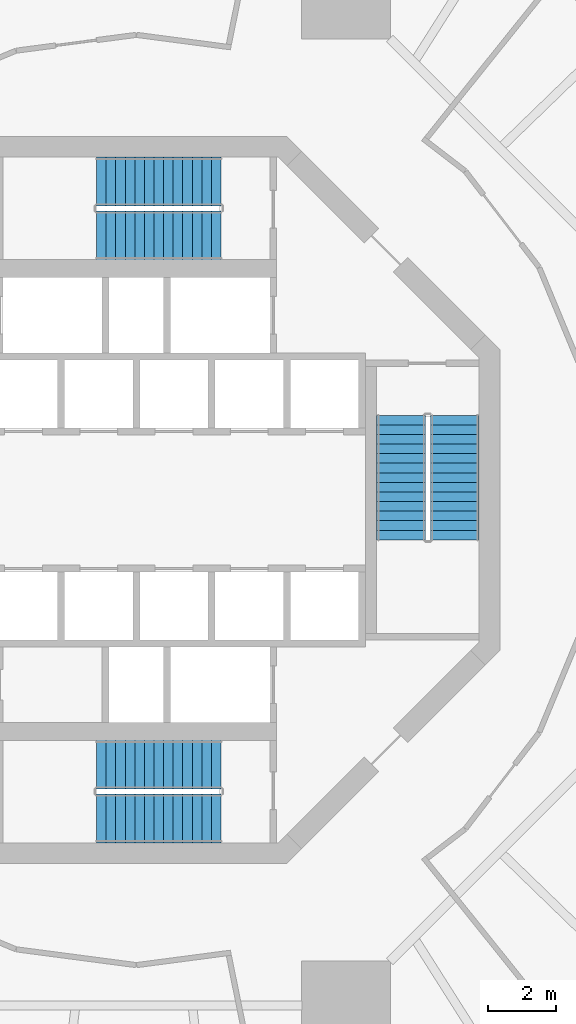
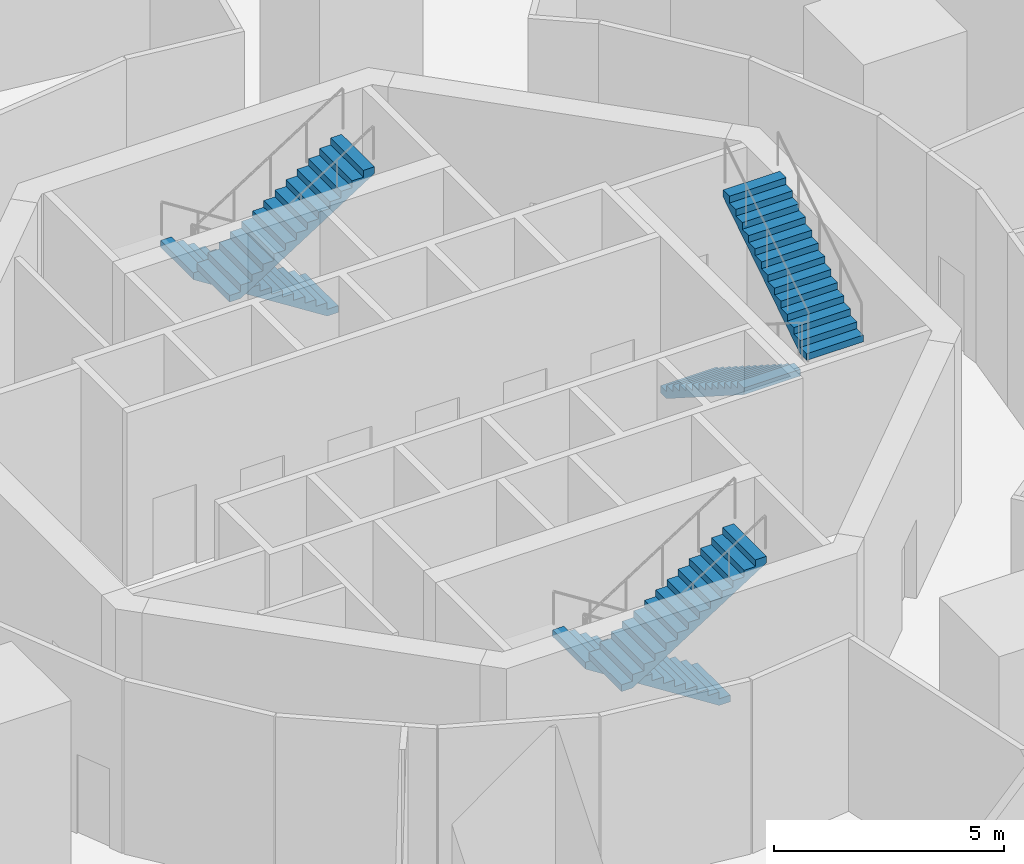
# One storey, part 12 of 14: 6 stair flights, 3 elements without a shape of their own.
"""IFC4 building model written with IfcOpenShell, lengths in metres."""

from ifc_helpers import new_model, si_unit, direction, frame, origin, place, context, subcontext, project, spatial, polyline, outline, extrude, material, type_object, element, aggregate, save


model = new_model("IFC4")

# Units and contexts
model_context = context("Model", 3, precision=1e-05, world=origin(), true_north=direction((0.0, 1.0)))
body_context = subcontext(model_context, "Body", "Model", "MODEL_VIEW")
ifc_project = project(units=[si_unit("LENGTHUNIT", "METRE"), si_unit("AREAUNIT", "SQUARE_METRE"), si_unit("VOLUMEUNIT", "CUBIC_METRE"), si_unit("PLANEANGLEUNIT", "RADIAN"), si_unit("MASSUNIT", "GRAM", prefix="KILO")], contexts=[model_context])

# Site, building, storey
site_placement = place(None, origin())
site = spatial("IfcSite", under=ifc_project, at=site_placement, CompositionType="ELEMENT")
building_placement = place(site_placement, origin())
building = spatial("IfcBuilding", under=site, at=building_placement, Name="Nagisa Residences", CompositionType="ELEMENT")
storey_placement = place(building_placement, frame((0.0, 0.0, -5.0)))
storey = spatial("IfcBuildingStorey", under=building, at=storey_placement, Name="B1", CompositionType="ELEMENT", Elevation=-5.0)

# Stair, stair flights
ifc_material_1 = material(Name="Concrete C60", Category="concrete")
stair_type = type_object("IfcStairType", Name="Exit stair", PredefinedType="HALF_TURN_STAIR", material=ifc_material_1)
stair_1_placement = place(storey_placement, origin())
stair_1 = element("IfcStair", 1, at=stair_1_placement, inside=storey, type_object=stair_type, Name="B1 Exit stair E", PredefinedType="HALF_TURN_STAIR")
ifc_material_2 = material(Name="Concrete C60", Category="concrete")
stair_flight_type = type_object("IfcStairFlightType", Name="Exit stair flight", PredefinedType="STRAIGHT", material=ifc_material_2)
stair_flight_1_placement = place(storey_placement, frame((7.737060546875, 2.47509765625, 0.0), z_axis=(0.0, 0.0, 1.0), x_axis=(0.0, -1.0, 0.0)))
stair_flight_1 = element("IfcStairFlight", 2, at=stair_flight_1_placement, type_object=stair_flight_type, Name="ST-E flight 1", NumberOfRisers=14, NumberOfTreads=13, PredefinedType="STRAIGHT", RiserHeight=0.178571429, TreadLength=0.28, context=body_context, shape_type="SweptSolid", body=[
    extrude(outline(polyline([(0.0, 0.0), (0.0, 0.178466796875), (0.280029296875, 0.178466796875), (0.280029296875, 0.357177734375), (0.56005859375, 0.357177734375), (0.56005859375, 0.53564453125), (0.840087890625, 0.53564453125), (0.840087890625, 0.71435546875), (1.1201171875, 0.71435546875), (1.1201171875, 0.892822265625), (1.39990234375, 0.892822265625), (1.39990234375, 1.071533203125), (1.679931640625, 1.071533203125), (1.679931640625, 1.25), (1.9599609375, 1.25), (1.9599609375, 1.428466796875), (2.239990234375, 1.428466796875), (2.239990234375, 1.607177734375), (2.52001953125, 1.607177734375), (2.52001953125, 1.78564453125), (2.800048828125, 1.78564453125), (2.800048828125, 1.96435546875), (3.080078125, 1.96435546875), (3.080078125, 2.142822265625), (3.360107421875, 2.142822265625), (3.360107421875, 2.321533203125), (3.639892578125, 2.321533203125), (3.639892578125, 2.5), (3.639892578125, 2.1435546875), (0.27880859375, 0.0), (0.0, 0.0)])), frame((0.0, 0.71240234375, 0.0), z_axis=(0.0, -1.0, 0.0), x_axis=(1.0, 0.0, 0.0)), (0.0, 0.0, 1.0), 1.425048828125),
])
stair_flight_2_placement = place(storey_placement, frame((9.31201171875, -1.1650390625, 2.5), z_axis=(0.0, 0.0, 1.0), x_axis=(0.0, 1.0, 0.0)))
stair_flight_2 = element("IfcStairFlight", 3, at=stair_flight_2_placement, type_object=stair_flight_type, Name="ST-E flight 2", NumberOfRisers=14, NumberOfTreads=13, PredefinedType="STRAIGHT", RiserHeight=0.178571429, TreadLength=0.28, context=body_context, shape_type="SweptSolid", body=[
    extrude(outline(polyline([(0.0, 0.0), (0.0, 0.178466796875), (0.280029296875, 0.178466796875), (0.280029296875, 0.357177734375), (0.56005859375, 0.357177734375), (0.56005859375, 0.53564453125), (0.840087890625, 0.53564453125), (0.840087890625, 0.71435546875), (1.1201171875, 0.71435546875), (1.1201171875, 0.892822265625), (1.39990234375, 0.892822265625), (1.39990234375, 1.071533203125), (1.679931640625, 1.071533203125), (1.679931640625, 1.25), (1.9599609375, 1.25), (1.9599609375, 1.428466796875), (2.239990234375, 1.428466796875), (2.239990234375, 1.607177734375), (2.52001953125, 1.607177734375), (2.52001953125, 1.78564453125), (2.800048828125, 1.78564453125), (2.800048828125, 1.96435546875), (3.080078125, 1.96435546875), (3.080078125, 2.142822265625), (3.360107421875, 2.142822265625), (3.360107421875, 2.321533203125), (3.639892578125, 2.321533203125), (3.639892578125, 2.5), (3.639892578125, 2.1435546875), (0.27880859375, 0.0), (0.0, 0.0)])), frame((0.0, 0.71240234375, 0.0), z_axis=(0.0, -1.0, 0.0), x_axis=(1.0, 0.0, 0.0)), (0.0, 0.0, 1.0), 1.425048828125),
])
aggregate(stair_1, [stair_flight_1, stair_flight_2])

stair_2_placement = place(storey_placement, origin())
stair_2 = element("IfcStair", 4, at=stair_2_placement, inside=storey, type_object=stair_type, Name="B1 Exit stair N", PredefinedType="HALF_TURN_STAIR")
stair_flight_3_placement = place(storey_placement, frame((2.47509765625, 9.31201171875, 0.0), z_axis=(0.0, 0.0, 1.0), x_axis=(-1.0, 0.0, 0.0)))
stair_flight_3 = element("IfcStairFlight", 5, at=stair_flight_3_placement, type_object=stair_flight_type, Name="ST-N flight 1", NumberOfRisers=14, NumberOfTreads=13, PredefinedType="STRAIGHT", RiserHeight=0.178571429, TreadLength=0.28, context=body_context, shape_type="SweptSolid", body=[
    extrude(outline(polyline([(0.0, 0.0), (0.0, 0.178466796875), (0.280029296875, 0.178466796875), (0.280029296875, 0.357177734375), (0.56005859375, 0.357177734375), (0.56005859375, 0.53564453125), (0.840087890625, 0.53564453125), (0.840087890625, 0.71435546875), (1.1201171875, 0.71435546875), (1.1201171875, 0.892822265625), (1.39990234375, 0.892822265625), (1.39990234375, 1.071533203125), (1.679931640625, 1.071533203125), (1.679931640625, 1.25), (1.9599609375, 1.25), (1.9599609375, 1.428466796875), (2.239990234375, 1.428466796875), (2.239990234375, 1.607177734375), (2.52001953125, 1.607177734375), (2.52001953125, 1.78564453125), (2.800048828125, 1.78564453125), (2.800048828125, 1.96435546875), (3.080078125, 1.96435546875), (3.080078125, 2.142822265625), (3.360107421875, 2.142822265625), (3.360107421875, 2.321533203125), (3.639892578125, 2.321533203125), (3.639892578125, 2.5), (3.639892578125, 2.1435546875), (0.27880859375, 0.0), (0.0, 0.0)])), frame((0.0, 0.71240234375, 0.0), z_axis=(0.0, -1.0, 0.0), x_axis=(1.0, 0.0, 0.0)), (0.0, 0.0, 1.0), 1.425048828125),
])
stair_flight_4_placement = place(storey_placement, frame((-1.1650390625, 7.737060546875, 2.5), z_axis=(0.0, 0.0, 1.0), x_axis=(1.0, 0.0, 0.0)))
stair_flight_4 = element("IfcStairFlight", 6, at=stair_flight_4_placement, type_object=stair_flight_type, Name="ST-N flight 2", NumberOfRisers=14, NumberOfTreads=13, PredefinedType="STRAIGHT", RiserHeight=0.178571429, TreadLength=0.28, context=body_context, shape_type="SweptSolid", body=[
    extrude(outline(polyline([(0.0, 0.0), (0.0, 0.178466796875), (0.280029296875, 0.178466796875), (0.280029296875, 0.357177734375), (0.56005859375, 0.357177734375), (0.56005859375, 0.53564453125), (0.840087890625, 0.53564453125), (0.840087890625, 0.71435546875), (1.1201171875, 0.71435546875), (1.1201171875, 0.892822265625), (1.39990234375, 0.892822265625), (1.39990234375, 1.071533203125), (1.679931640625, 1.071533203125), (1.679931640625, 1.25), (1.9599609375, 1.25), (1.9599609375, 1.428466796875), (2.239990234375, 1.428466796875), (2.239990234375, 1.607177734375), (2.52001953125, 1.607177734375), (2.52001953125, 1.78564453125), (2.800048828125, 1.78564453125), (2.800048828125, 1.96435546875), (3.080078125, 1.96435546875), (3.080078125, 2.142822265625), (3.360107421875, 2.142822265625), (3.360107421875, 2.321533203125), (3.639892578125, 2.321533203125), (3.639892578125, 2.5), (3.639892578125, 2.1435546875), (0.27880859375, 0.0), (0.0, 0.0)])), frame((0.0, 0.71240234375, 0.0), z_axis=(0.0, -1.0, 0.0), x_axis=(1.0, 0.0, 0.0)), (0.0, 0.0, 1.0), 1.425048828125),
])
aggregate(stair_2, [stair_flight_3, stair_flight_4])

stair_3_placement = place(storey_placement, origin())
stair_3 = element("IfcStair", 7, at=stair_3_placement, inside=storey, type_object=stair_type, Name="B1 Exit stair S", PredefinedType="HALF_TURN_STAIR")
stair_flight_5_placement = place(storey_placement, frame((2.47509765625, -7.737060546875, 0.0), z_axis=(0.0, 0.0, 1.0), x_axis=(-1.0, 0.0, 0.0)))
stair_flight_5 = element("IfcStairFlight", 8, at=stair_flight_5_placement, type_object=stair_flight_type, Name="ST-S flight 1", NumberOfRisers=14, NumberOfTreads=13, PredefinedType="STRAIGHT", RiserHeight=0.178571429, TreadLength=0.28, context=body_context, shape_type="SweptSolid", body=[
    extrude(outline(polyline([(0.0, 0.0), (0.0, 0.178466796875), (0.280029296875, 0.178466796875), (0.280029296875, 0.357177734375), (0.56005859375, 0.357177734375), (0.56005859375, 0.53564453125), (0.840087890625, 0.53564453125), (0.840087890625, 0.71435546875), (1.1201171875, 0.71435546875), (1.1201171875, 0.892822265625), (1.39990234375, 0.892822265625), (1.39990234375, 1.071533203125), (1.679931640625, 1.071533203125), (1.679931640625, 1.25), (1.9599609375, 1.25), (1.9599609375, 1.428466796875), (2.239990234375, 1.428466796875), (2.239990234375, 1.607177734375), (2.52001953125, 1.607177734375), (2.52001953125, 1.78564453125), (2.800048828125, 1.78564453125), (2.800048828125, 1.96435546875), (3.080078125, 1.96435546875), (3.080078125, 2.142822265625), (3.360107421875, 2.142822265625), (3.360107421875, 2.321533203125), (3.639892578125, 2.321533203125), (3.639892578125, 2.5), (3.639892578125, 2.1435546875), (0.27880859375, 0.0), (0.0, 0.0)])), frame((0.0, 0.71240234375, 0.0), z_axis=(0.0, -1.0, 0.0), x_axis=(1.0, 0.0, 0.0)), (0.0, 0.0, 1.0), 1.425048828125),
])
stair_flight_6_placement = place(storey_placement, frame((-1.1650390625, -9.31201171875, 2.5), z_axis=(0.0, 0.0, 1.0), x_axis=(1.0, 0.0, 0.0)))
stair_flight_6 = element("IfcStairFlight", 9, at=stair_flight_6_placement, type_object=stair_flight_type, Name="ST-S flight 2", NumberOfRisers=14, NumberOfTreads=13, PredefinedType="STRAIGHT", RiserHeight=0.178571429, TreadLength=0.28, context=body_context, shape_type="SweptSolid", body=[
    extrude(outline(polyline([(0.0, 0.0), (0.0, 0.178466796875), (0.280029296875, 0.178466796875), (0.280029296875, 0.357177734375), (0.56005859375, 0.357177734375), (0.56005859375, 0.53564453125), (0.840087890625, 0.53564453125), (0.840087890625, 0.71435546875), (1.1201171875, 0.71435546875), (1.1201171875, 0.892822265625), (1.39990234375, 0.892822265625), (1.39990234375, 1.071533203125), (1.679931640625, 1.071533203125), (1.679931640625, 1.25), (1.9599609375, 1.25), (1.9599609375, 1.428466796875), (2.239990234375, 1.428466796875), (2.239990234375, 1.607177734375), (2.52001953125, 1.607177734375), (2.52001953125, 1.78564453125), (2.800048828125, 1.78564453125), (2.800048828125, 1.96435546875), (3.080078125, 1.96435546875), (3.080078125, 2.142822265625), (3.360107421875, 2.142822265625), (3.360107421875, 2.321533203125), (3.639892578125, 2.321533203125), (3.639892578125, 2.5), (3.639892578125, 2.1435546875), (0.27880859375, 0.0), (0.0, 0.0)])), frame((0.0, 0.71240234375, 0.0), z_axis=(0.0, -1.0, 0.0), x_axis=(1.0, 0.0, 0.0)), (0.0, 0.0, 1.0), 1.425048828125),
])
aggregate(stair_3, [stair_flight_5, stair_flight_6])

save(model, "model.ifc")
